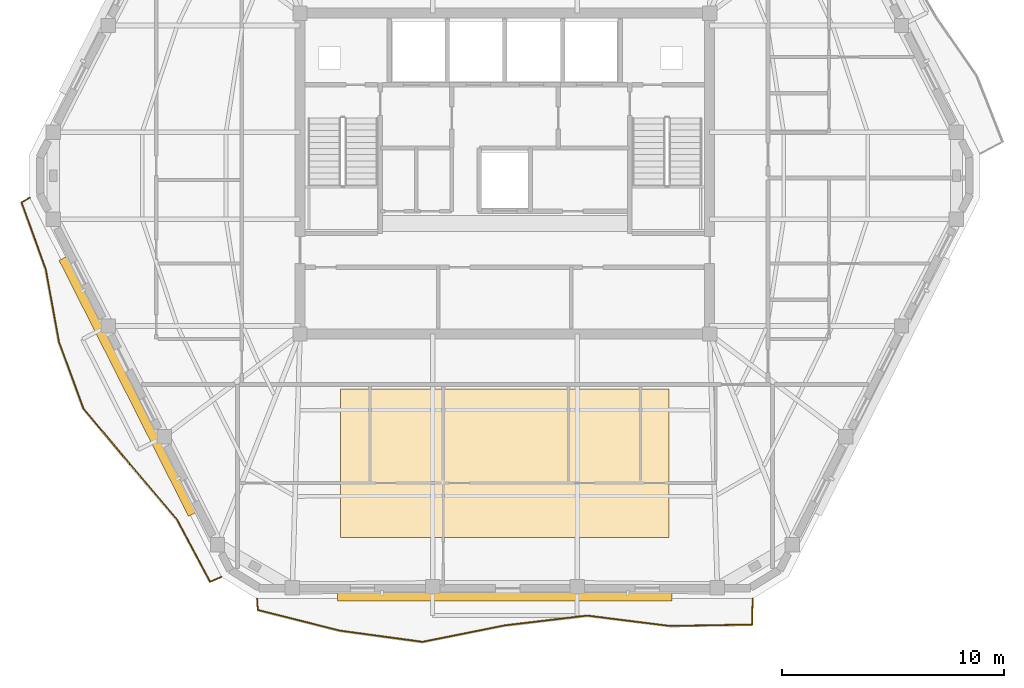
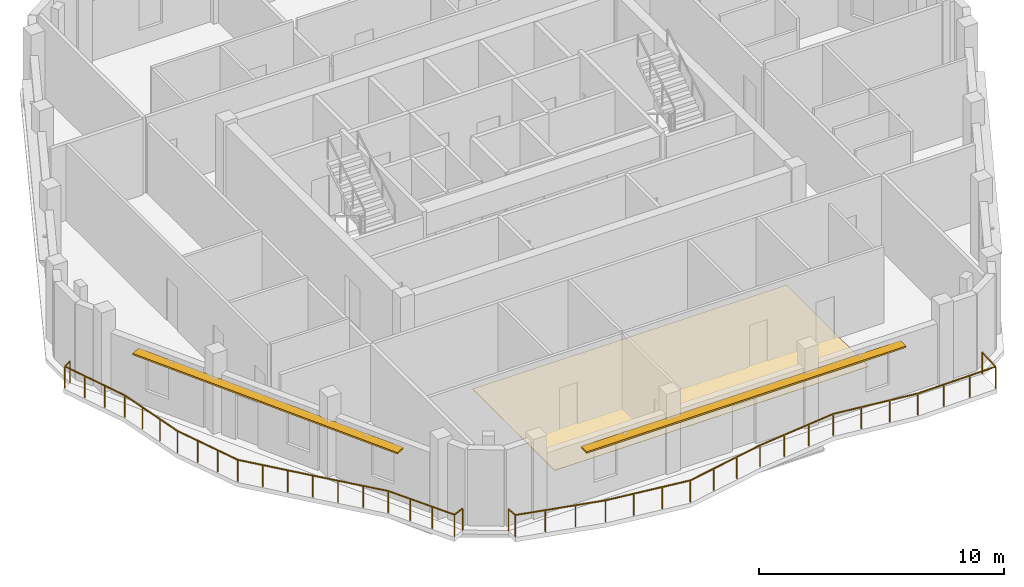
# One storey, part 8 of 10: 2 railings, 2 shading devices, 1 covering.
"""IFC4 building model written with IfcOpenShell, lengths in metres."""

from ifc_helpers import new_model, si_unit, direction, frame, origin, origin_2d, place, context, subcontext, project, spatial, polyline, rectangle, outline, extrude, material, layer, layer_set, type_object, element, save


model = new_model("IFC4")

# Units and contexts
model_context = context("Model", 3, precision=1e-05, world=origin(), true_north=direction((0.0, 1.0)))
body_context = subcontext(model_context, "Body", "Model", "MODEL_VIEW")
ifc_project = project(units=[si_unit("LENGTHUNIT", "METRE"), si_unit("AREAUNIT", "SQUARE_METRE"), si_unit("VOLUMEUNIT", "CUBIC_METRE"), si_unit("PLANEANGLEUNIT", "RADIAN"), si_unit("MASSUNIT", "GRAM", prefix="KILO")], contexts=[model_context])

# Site, building, storey
site_placement = place(None, origin())
site = spatial("IfcSite", under=ifc_project, at=site_placement, CompositionType="ELEMENT")
building_placement = place(site_placement, origin())
building = spatial("IfcBuilding", under=site, at=building_placement, Name="Cinnabar Lancet Tower", CompositionType="ELEMENT")
storey_placement = place(building_placement, frame((0.0, 0.0, 287.5)))
storey = spatial("IfcBuildingStorey", under=building, at=storey_placement, Name="L76", CompositionType="ELEMENT", Elevation=287.5)

# Covering
ifc_material_1 = material(Name="Engineered tropical Kempas timber flooring", Category="wood")
ifc_layer_1 = layer(ifc_material_1, 0.02001953125)
ifc_layer_set_1 = layer_set([ifc_layer_1], Name="Engineered tropical Kempas timber flooring")
covering_type = type_object("IfcCoveringType", Name="ARC-COV-FLR-TIM", PredefinedType="FLOORING", material=ifc_layer_set_1)
covering_placement = place(storey_placement, origin())
element("IfcCovering", 1, at=covering_placement, inside=storey, type_object=covering_type, Name="L76 Architectural Floor Finish", PredefinedType="FLOORING", context=body_context, shape_type="SweptSolid", body=[
    extrude(outline(polyline([(25.0, 9.5), (39.800048828125, 9.5), (39.800048828125, 16.199951171875), (25.0, 16.199951171875), (25.0, 9.5)])), origin(), (0.0, 0.0, 1.0), 0.02001953125),
])

# Railings
ifc_material_2 = material(Name="Laminated safety glass and bronze stainless steel balustrade", Category="steel")
railing_type = type_object("IfcRailingType", Name="ENV-RLG-BAL-1100", PredefinedType="BALUSTRADE", material=ifc_material_2)
railing_1_placement = place(storey_placement, frame((21.236083984375, 6.75, 0.0)))
element("IfcRailing", 2, at=railing_1_placement, inside=storey, type_object=railing_type, Name="L76 Face 1 Wave Balcony Balustrade", PredefinedType="BALUSTRADE", context=body_context, shape_type="SweptSolid", body=[
    extrude(rectangle(XDim=0.048095703125, YDim=0.048095703125, at=origin_2d()), frame((0.0, 0.0, 1.076171875), z_axis=(0.069117258534, -0.997608542753, 0.0), x_axis=(0.997608542753, 0.069117258534, 0.0)), (0.0, 0.0, 1.0), 0.505126953125),
    extrude(rectangle(XDim=0.048095703125, YDim=0.048095703125, at=origin_2d()), frame((0.034912109375, -0.50390625, 1.076171875), z_axis=(0.9697357306, -0.244156942964, 0.0), x_axis=(0.244156942964, 0.9697357306, 0.0)), (0.0, 0.0, 1.0), 3.82568359375),
    extrude(rectangle(XDim=0.048095703125, YDim=0.048095703125, at=origin_2d()), frame((3.744873046875, -1.43798828125, 1.076171875), z_axis=(0.990936208198, -0.134333284344, 0.0), x_axis=(0.134333284344, 0.990936208198, 0.0)), (0.0, 0.0, 1.0), 3.743896484375),
    extrude(rectangle(XDim=0.048095703125, YDim=0.048095703125, at=origin_2d()), frame((7.454833984375, -1.94091796875, 1.076171875), z_axis=(0.980523539204, 0.196401601487, 0.0), x_axis=(-0.196401601487, 0.980523539204, 0.0)), (0.0, 0.0, 1.0), 3.78271484375),
    extrude(rectangle(XDim=0.048095703125, YDim=0.048095703125, at=origin_2d()), frame((11.163818359375, -1.197998046875, 1.076171875), z_axis=(0.993034976806, 0.117819925481, 0.0), x_axis=(-0.117819925481, 0.993034976806, 0.0)), (0.0, 0.0, 1.0), 3.734130859375),
    extrude(rectangle(XDim=0.048095703125, YDim=0.048095703125, at=origin_2d()), frame((14.871826171875, -0.758056640625, 1.076171875), z_axis=(0.992174103382, -0.124862118267, 0.0), x_axis=(0.124862118267, 0.992174103382, 0.0)), (0.0, 0.0, 1.0), 3.740478515625),
    extrude(rectangle(XDim=0.048095703125, YDim=0.048095703125, at=origin_2d()), frame((18.5830078125, -1.22509765625, 1.076171875), z_axis=(0.999860408389, 0.016708193667, 0.0), x_axis=(-0.016708193667, 0.999860408389, 0.0)), (0.0, 0.0, 1.0), 3.71142578125),
    extrude(rectangle(XDim=0.048095703125, YDim=0.048095703125, at=origin_2d()), frame((22.2939453125, -1.1630859375, 1.076171875), z_axis=(0.029164750615, 0.999574618186, 0.0), x_axis=(-0.999574618186, 0.029164750615, 0.0)), (0.0, 0.0, 1.0), 1.16357421875),
    extrude(rectangle(XDim=0.0419921875, YDim=0.0419921875, at=origin_2d()), origin(), (0.0, 0.0, 1.0), 1.052001953125),
    extrude(rectangle(XDim=0.0419921875, YDim=0.0419921875, at=origin_2d()), frame((0.034912109375, -0.50390625, 0.0)), (0.0, 0.0, 1.0), 1.052001953125),
    extrude(rectangle(XDim=0.0419921875, YDim=0.0419921875, at=origin_2d()), frame((1.271484375, -0.815185546875, 0.0)), (0.0, 0.0, 1.0), 1.052001953125),
    extrude(rectangle(XDim=0.0419921875, YDim=0.0419921875, at=origin_2d()), frame((2.50830078125, -1.126708984375, 0.0)), (0.0, 0.0, 1.0), 1.052001953125),
    extrude(rectangle(XDim=0.0419921875, YDim=0.0419921875, at=origin_2d()), frame((3.744873046875, -1.43798828125, 0.0)), (0.0, 0.0, 1.0), 1.052001953125),
    extrude(rectangle(XDim=0.0419921875, YDim=0.0419921875, at=origin_2d()), frame((4.9814453125, -1.605712890625, 0.0)), (0.0, 0.0, 1.0), 1.052001953125),
    extrude(rectangle(XDim=0.0419921875, YDim=0.0419921875, at=origin_2d()), frame((6.21826171875, -1.773193359375, 0.0)), (0.0, 0.0, 1.0), 1.052001953125),
    extrude(rectangle(XDim=0.0419921875, YDim=0.0419921875, at=origin_2d()), frame((7.454833984375, -1.94091796875, 0.0)), (0.0, 0.0, 1.0), 1.052001953125),
    extrude(rectangle(XDim=0.0419921875, YDim=0.0419921875, at=origin_2d()), frame((8.691162109375, -1.693359375, 0.0)), (0.0, 0.0, 1.0), 1.052001953125),
    extrude(rectangle(XDim=0.0419921875, YDim=0.0419921875, at=origin_2d()), frame((9.927490234375, -1.445556640625, 0.0)), (0.0, 0.0, 1.0), 1.052001953125),
    extrude(rectangle(XDim=0.0419921875, YDim=0.0419921875, at=origin_2d()), frame((11.163818359375, -1.197998046875, 0.0)), (0.0, 0.0, 1.0), 1.052001953125),
    extrude(rectangle(XDim=0.0419921875, YDim=0.0419921875, at=origin_2d()), frame((12.39990234375, -1.05126953125, 0.0)), (0.0, 0.0, 1.0), 1.052001953125),
    extrude(rectangle(XDim=0.0419921875, YDim=0.0419921875, at=origin_2d()), frame((13.6357421875, -0.90478515625, 0.0)), (0.0, 0.0, 1.0), 1.052001953125),
    extrude(rectangle(XDim=0.0419921875, YDim=0.0419921875, at=origin_2d()), frame((14.871826171875, -0.758056640625, 0.0)), (0.0, 0.0, 1.0), 1.052001953125),
    extrude(rectangle(XDim=0.0419921875, YDim=0.0419921875, at=origin_2d()), frame((16.10888671875, -0.913818359375, 0.0)), (0.0, 0.0, 1.0), 1.052001953125),
    extrude(rectangle(XDim=0.0419921875, YDim=0.0419921875, at=origin_2d()), frame((17.345947265625, -1.0693359375, 0.0)), (0.0, 0.0, 1.0), 1.052001953125),
    extrude(rectangle(XDim=0.0419921875, YDim=0.0419921875, at=origin_2d()), frame((18.5830078125, -1.22509765625, 0.0)), (0.0, 0.0, 1.0), 1.052001953125),
    extrude(rectangle(XDim=0.0419921875, YDim=0.0419921875, at=origin_2d()), frame((19.820068359375, -1.204345703125, 0.0)), (0.0, 0.0, 1.0), 1.052001953125),
    extrude(rectangle(XDim=0.0419921875, YDim=0.0419921875, at=origin_2d()), frame((21.056884765625, -1.183837890625, 0.0)), (0.0, 0.0, 1.0), 1.052001953125),
    extrude(rectangle(XDim=0.0419921875, YDim=0.0419921875, at=origin_2d()), frame((22.2939453125, -1.1630859375, 0.0)), (0.0, 0.0, 1.0), 1.052001953125),
    extrude(rectangle(XDim=0.0419921875, YDim=0.0419921875, at=origin_2d()), frame((22.327880859375, 0.0, 0.0)), (0.0, 0.0, 1.0), 1.052001953125),
])
railing_2_placement = place(storey_placement, frame((10.9970703125, 24.818115234375, 0.0)))
element("IfcRailing", 3, at=railing_2_placement, inside=storey, type_object=railing_type, Name="L76 Face 6 Wave Balcony Balustrade", PredefinedType="BALUSTRADE", context=body_context, shape_type="SweptSolid", body=[
    extrude(rectangle(XDim=0.048095703125, YDim=0.048095703125, at=origin_2d()), frame((0.0, 0.0, 1.076171875), z_axis=(-0.860938023403, -0.508709858228, 0.0), x_axis=(0.508709858228, -0.860938023403, 0.0)), (0.0, 0.0, 1.0), 0.4228515625),
    extrude(rectangle(XDim=0.048095703125, YDim=0.048095703125, at=origin_2d()), frame((-0.364013671875, -0.215087890625, 1.076171875), z_axis=(0.339932621477, -0.940449792841, 0.0), x_axis=(0.940449792841, 0.339932621477, 0.0)), (0.0, 0.0, 1.0), 3.2060546875),
    extrude(rectangle(XDim=0.048095703125, YDim=0.048095703125, at=origin_2d()), frame((0.725830078125, -3.230224609375, 1.076171875), z_axis=(0.17904733637, -0.983840460308, 0.0), x_axis=(0.983840460308, 0.17904733637, 0.0)), (0.0, 0.0, 1.0), 3.317626953125),
    extrude(rectangle(XDim=0.048095703125, YDim=0.048095703125, at=origin_2d()), frame((1.31982421875, -6.494140625, 1.076171875), z_axis=(0.344227760857, -0.938886174494, 0.0), x_axis=(0.938886174494, 0.344227760857, 0.0)), (0.0, 0.0, 1.0), 3.201416015625),
    extrude(rectangle(XDim=0.048095703125, YDim=0.048095703125, at=origin_2d()), frame((2.421875, -9.5, 1.076171875), z_axis=(0.641837498442, -0.766840678103, 0.0), x_axis=(0.766840678103, 0.641837498442, 0.0)), (0.0, 0.0, 1.0), 3.265625),
    extrude(rectangle(XDim=0.048095703125, YDim=0.048095703125, at=origin_2d()), frame((4.517822265625, -12.004150390625, 1.076171875), z_axis=(0.647355978606, -0.762187796388, 0.0), x_axis=(0.762187796388, 0.647355978606, 0.0)), (0.0, 0.0, 1.0), 3.27197265625),
    extrude(rectangle(XDim=0.048095703125, YDim=0.048095703125, at=origin_2d()), frame((6.635986328125, -14.498046875, 1.076171875), z_axis=(0.469891492337, -0.882724184233, 0.0), x_axis=(0.882724184233, 0.469891492337, 0.0)), (0.0, 0.0, 1.0), 3.183349609375),
    extrude(rectangle(XDim=0.048095703125, YDim=0.048095703125, at=origin_2d()), frame((8.1318359375, -17.30810546875, 1.076171875), z_axis=(0.916951382489, 0.398998950063, 0.0), x_axis=(-0.398998950063, 0.916951382489, 0.0)), (0.0, 0.0, 1.0), 0.55615234375),
    extrude(rectangle(XDim=0.0419921875, YDim=0.0419921875, at=origin_2d()), origin(), (0.0, 0.0, 1.0), 1.052001953125),
    extrude(rectangle(XDim=0.0419921875, YDim=0.0419921875, at=origin_2d()), frame((-0.364013671875, -0.215087890625, 0.0)), (0.0, 0.0, 1.0), 1.052001953125),
    extrude(rectangle(XDim=0.0419921875, YDim=0.0419921875, at=origin_2d()), frame((-0.000732421875, -1.22021484375, 0.0)), (0.0, 0.0, 1.0), 1.052001953125),
    extrude(rectangle(XDim=0.0419921875, YDim=0.0419921875, at=origin_2d()), frame((0.362548828125, -2.22509765625, 0.0)), (0.0, 0.0, 1.0), 1.052001953125),
    extrude(rectangle(XDim=0.0419921875, YDim=0.0419921875, at=origin_2d()), frame((0.725830078125, -3.230224609375, 0.0)), (0.0, 0.0, 1.0), 1.052001953125),
    extrude(rectangle(XDim=0.0419921875, YDim=0.0419921875, at=origin_2d()), frame((0.923828125, -4.318115234375, 0.0)), (0.0, 0.0, 1.0), 1.052001953125),
    extrude(rectangle(XDim=0.0419921875, YDim=0.0419921875, at=origin_2d()), frame((1.121826171875, -5.40625, 0.0)), (0.0, 0.0, 1.0), 1.052001953125),
    extrude(rectangle(XDim=0.0419921875, YDim=0.0419921875, at=origin_2d()), frame((1.31982421875, -6.494140625, 0.0)), (0.0, 0.0, 1.0), 1.052001953125),
    extrude(rectangle(XDim=0.0419921875, YDim=0.0419921875, at=origin_2d()), frame((1.687255859375, -7.49609375, 0.0)), (0.0, 0.0, 1.0), 1.052001953125),
    extrude(rectangle(XDim=0.0419921875, YDim=0.0419921875, at=origin_2d()), frame((2.054443359375, -8.498046875, 0.0)), (0.0, 0.0, 1.0), 1.052001953125),
    extrude(rectangle(XDim=0.0419921875, YDim=0.0419921875, at=origin_2d()), frame((2.421875, -9.5, 0.0)), (0.0, 0.0, 1.0), 1.052001953125),
    extrude(rectangle(XDim=0.0419921875, YDim=0.0419921875, at=origin_2d()), frame((3.12060546875, -10.334716796875, 0.0)), (0.0, 0.0, 1.0), 1.052001953125),
    extrude(rectangle(XDim=0.0419921875, YDim=0.0419921875, at=origin_2d()), frame((3.819091796875, -11.16943359375, 0.0)), (0.0, 0.0, 1.0), 1.052001953125),
    extrude(rectangle(XDim=0.0419921875, YDim=0.0419921875, at=origin_2d()), frame((4.517822265625, -12.004150390625, 0.0)), (0.0, 0.0, 1.0), 1.052001953125),
    extrude(rectangle(XDim=0.0419921875, YDim=0.0419921875, at=origin_2d()), frame((5.223876953125, -12.83544921875, 0.0)), (0.0, 0.0, 1.0), 1.052001953125),
    extrude(rectangle(XDim=0.0419921875, YDim=0.0419921875, at=origin_2d()), frame((5.929931640625, -13.666748046875, 0.0)), (0.0, 0.0, 1.0), 1.052001953125),
    extrude(rectangle(XDim=0.0419921875, YDim=0.0419921875, at=origin_2d()), frame((6.635986328125, -14.498046875, 0.0)), (0.0, 0.0, 1.0), 1.052001953125),
    extrude(rectangle(XDim=0.0419921875, YDim=0.0419921875, at=origin_2d()), frame((7.134521484375, -15.434814453125, 0.0)), (0.0, 0.0, 1.0), 1.052001953125),
    extrude(rectangle(XDim=0.0419921875, YDim=0.0419921875, at=origin_2d()), frame((7.63330078125, -16.371337890625, 0.0)), (0.0, 0.0, 1.0), 1.052001953125),
    extrude(rectangle(XDim=0.0419921875, YDim=0.0419921875, at=origin_2d()), frame((8.1318359375, -17.30810546875, 0.0)), (0.0, 0.0, 1.0), 1.052001953125),
    extrude(rectangle(XDim=0.0419921875, YDim=0.0419921875, at=origin_2d()), frame((8.641845703125, -17.086181640625, 0.0)), (0.0, 0.0, 1.0), 1.052001953125),
])

# Shading devices
ifc_material_3 = material(Name="Pale limestone architectural aluminium sunshade", Category="masonry")
ifc_layer_2 = layer(ifc_material_3, 0.080078125)
ifc_layer_set_2 = layer_set([ifc_layer_2], Name="Pale limestone architectural aluminium sunshade")
shading_device_type = type_object("IfcShadingDeviceType", Name="ENV-SHD-LVR-450", PredefinedType="JALOUSIE", material=ifc_layer_set_2)
shading_device_1_placement = place(storey_placement, frame((32.39990234375, 6.8798828125, 2.639892578125), z_axis=(0.0, 0.0, 1.0), x_axis=(1.0, 0.0, 0.0)))
element("IfcShadingDevice", 4, at=shading_device_1_placement, inside=storey, type_object=shading_device_type, Name="L76 Face 1 Horizontal Sunshade Canopy", PredefinedType="JALOUSIE", context=body_context, shape_type="SweptSolid", body=[
    extrude(rectangle(XDim=15.06103515625, YDim=0.449951171875, at=origin_2d()), origin(), (0.0, 0.0, 1.0), 0.080078125),
])
shading_device_2_placement = place(storey_placement, frame((15.43603515625, 16.330078125, 2.639892578125), z_axis=(0.0, 0.0, 1.0), x_axis=(0.451375984307, -0.89233386173, 0.0)))
element("IfcShadingDevice", 5, at=shading_device_2_placement, inside=storey, type_object=shading_device_type, Name="L76 Face 6 Horizontal Sunshade Canopy", PredefinedType="JALOUSIE", context=body_context, shape_type="SweptSolid", body=[
    extrude(rectangle(XDim=12.912109375, YDim=0.449951171875, at=origin_2d()), origin(), (0.0, 0.0, 1.0), 0.080078125),
])

save(model, "model.ifc")
